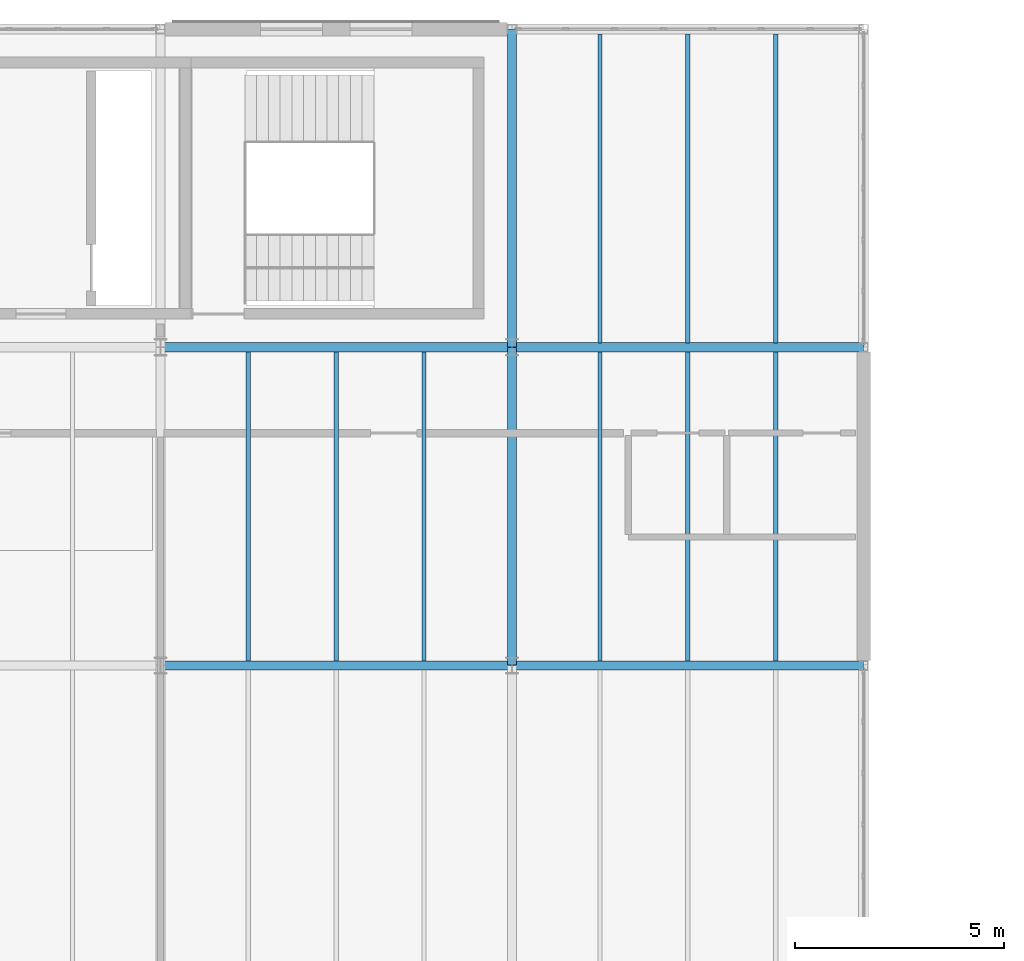
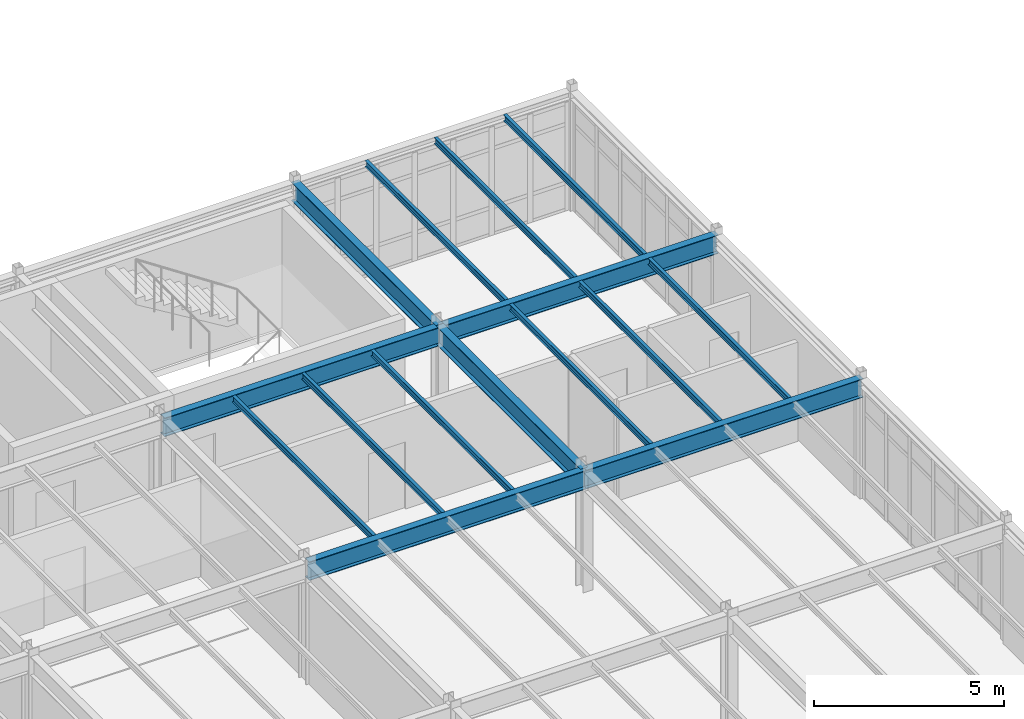
# One storey, part 49 of 114: 15 beams.
"""IFC4 building model written with IfcOpenShell, lengths in metres."""

from ifc_helpers import new_model, si_unit, direction, frame, origin, origin_2d, place, context, subcontext, project, spatial, i_section, extrude, material, material_profile, profile_set, type_object, element, save


model = new_model("IFC4")

# Units and contexts
model_context = context("Model", 3, precision=1e-05, world=origin(), true_north=direction((0.0, 1.0)))
body_context = subcontext(model_context, "Body", "Model", "MODEL_VIEW")
ifc_project = project(units=[si_unit("LENGTHUNIT", "METRE"), si_unit("AREAUNIT", "SQUARE_METRE"), si_unit("VOLUMEUNIT", "CUBIC_METRE"), si_unit("PLANEANGLEUNIT", "RADIAN"), si_unit("MASSUNIT", "GRAM", prefix="KILO")], contexts=[model_context])

# Site, building, storey
site_placement = place(None, origin())
site = spatial("IfcSite", under=ifc_project, at=site_placement, CompositionType="ELEMENT")
building_placement = place(site_placement, origin())
building = spatial("IfcBuilding", under=site, at=building_placement, Name="Montecoro Central Library", CompositionType="ELEMENT")
storey_placement = place(building_placement, frame((0.0, 0.0, 13.260009765625)))
storey = spatial("IfcBuildingStorey", under=building, at=storey_placement, Name="L03", CompositionType="ELEMENT", Elevation=13.260009765625)

# Beams
ifc_material_1 = material(Name="Steel S355J2", Category="steel")
ifc_material_profile_1 = material_profile(ifc_material_1, i_section(OverallWidth=0.219970703125, OverallDepth=0.60009765625, WebThickness=0.011962890625, FlangeThickness=0.01904296875, at=origin_2d()), Name="IPE 600")
ifc_profile_set_1 = profile_set([ifc_material_profile_1], Name="Steel S355J2")
beam_type_1 = type_object("IfcBeamType", Name="BM-G-IPE600", PredefinedType="USERDEFINED", material=ifc_profile_set_1)
beam_1_placement = place(storey_placement, frame((100.0048828125, 103.800048828125, 3.52490234375), z_axis=(1.0, 0.0, 0.0), x_axis=(0.0, 1.0, 0.0)))
element("IfcBeam", 1, at=beam_1_placement, inside=storey, type_object=beam_type_1, Name="V2-L03-BX-1314-P", ObjectType="GIRDER", PredefinedType="USERDEFINED", context=body_context, shape_type="SweptSolid", body=[
    extrude(i_section(OverallWidth=0.219970703125, OverallDepth=0.60009765625, WebThickness=0.011962890625, FlangeThickness=0.01904296875, at=origin_2d()), origin(), (0.0, 0.0, 1.0), 8.39013671875),
])
beam_2_placement = place(storey_placement, frame((108.405029296875, 103.800048828125, 3.52490234375), z_axis=(1.0, 0.0, 0.0), x_axis=(0.0, 1.0, 0.0)))
element("IfcBeam", 2, at=beam_2_placement, inside=storey, type_object=beam_type_1, Name="V2-L03-BX-1415-P", ObjectType="GIRDER", PredefinedType="USERDEFINED", context=body_context, shape_type="SweptSolid", body=[
    extrude(i_section(OverallWidth=0.219970703125, OverallDepth=0.60009765625, WebThickness=0.011962890625, FlangeThickness=0.01904296875, at=origin_2d()), origin(), (0.0, 0.0, 1.0), 8.389892578125),
])
beam_3_placement = place(storey_placement, frame((100.0048828125, 111.39990234375, 3.52490234375), z_axis=(1.0, 0.0, 0.0), x_axis=(0.0, 1.0, 0.0)))
element("IfcBeam", 3, at=beam_3_placement, inside=storey, type_object=beam_type_1, Name="V2-L03-BX-1314-Q", ObjectType="GIRDER", PredefinedType="USERDEFINED", context=body_context, shape_type="SweptSolid", body=[
    extrude(i_section(OverallWidth=0.219970703125, OverallDepth=0.60009765625, WebThickness=0.011962890625, FlangeThickness=0.01904296875, at=origin_2d()), origin(), (0.0, 0.0, 1.0), 8.39013671875),
])
beam_4_placement = place(storey_placement, frame((108.405029296875, 111.39990234375, 3.52490234375), z_axis=(1.0, 0.0, 0.0), x_axis=(0.0, 1.0, 0.0)))
element("IfcBeam", 4, at=beam_4_placement, inside=storey, type_object=beam_type_1, Name="V2-L03-BX-1415-Q", ObjectType="GIRDER", PredefinedType="USERDEFINED", context=body_context, shape_type="SweptSolid", body=[
    extrude(i_section(OverallWidth=0.219970703125, OverallDepth=0.60009765625, WebThickness=0.011962890625, FlangeThickness=0.01904296875, at=origin_2d()), origin(), (0.0, 0.0, 1.0), 8.389892578125),
])
for number, where, z_axis, x_axis, name in (
    (5, (108.39990234375, 103.804931640625, 3.52490234375), (0.0, 1.0, 0.0), (-1.0, 0.0, 0.0), "V2-L03-BY-14-PQ"),
    (6, (108.39990234375, 111.405029296875, 3.52490234375), (0.0, 1.0, 0.0), (-1.0, 0.0, 0.0), "V2-L03-BY-14-QR"),
):
    element("IfcBeam", number, at=place(storey_placement, frame(where, z_axis=z_axis, x_axis=x_axis)), inside=storey, type_object=beam_type_1, Name=name, ObjectType="GIRDER", PredefinedType="USERDEFINED", context=body_context, shape_type="SweptSolid", body=[
        extrude(i_section(OverallWidth=0.219970703125, OverallDepth=0.60009765625, WebThickness=0.011962890625, FlangeThickness=0.01904296875, at=origin_2d()), origin(), (0.0, 0.0, 1.0), 7.590087890625),
    ])
ifc_material_2 = material(Name="Steel S355", Category="steel")
ifc_material_profile_2 = material_profile(ifc_material_2, i_section(OverallWidth=0.10009765625, OverallDepth=0.199951171875, WebThickness=0.005615234375, FlangeThickness=0.008544921875, at=origin_2d()), Name="IPE 200")
ifc_profile_set_2 = profile_set([ifc_material_profile_2], Name="Steel S355")
beam_type_2 = type_object("IfcBeamType", Name="BM-J-IPE200", PredefinedType="JOIST", material=ifc_profile_set_2)
for number, where, z_axis, x_axis, name in (
    (7, (102.10009765625, 103.906982421875, 3.72509765625), (0.0, 1.0, 0.0), (-1.0, 0.0, 0.0), "V2-L03-JS-1314-PQ-1"),
    (8, (104.199951171875, 103.906982421875, 3.72509765625), (0.0, 1.0, 0.0), (-1.0, 0.0, 0.0), "V2-L03-JS-1314-PQ-2"),
    (9, (106.300048828125, 103.906982421875, 3.72509765625), (0.0, 1.0, 0.0), (-1.0, 0.0, 0.0), "V2-L03-JS-1314-PQ-3"),
    (10, (110.5, 103.906982421875, 3.72509765625), (0.0, 1.0, 0.0), (-1.0, 0.0, 0.0), "V2-L03-JS-1415-PQ-1"),
    (11, (112.60009765625, 103.906982421875, 3.72509765625), (0.0, 1.0, 0.0), (-1.0, 0.0, 0.0), "V2-L03-JS-1415-PQ-2"),
    (12, (114.699951171875, 103.906982421875, 3.72509765625), (0.0, 1.0, 0.0), (-1.0, 0.0, 0.0), "V2-L03-JS-1415-PQ-3"),
):
    element("IfcBeam", number, at=place(storey_placement, frame(where, z_axis=z_axis, x_axis=x_axis)), inside=storey, type_object=beam_type_2, Name=name, PredefinedType="JOIST", context=body_context, shape_type="SweptSolid", body=[
        extrude(i_section(OverallWidth=0.10009765625, OverallDepth=0.199951171875, WebThickness=0.005615234375, FlangeThickness=0.008544921875, at=origin_2d()), origin(), (0.0, 0.0, 1.0), 7.385986328125),
    ])
for number, where, z_axis, x_axis, name in (
    (13, (110.5, 111.507080078125, 3.72509765625), (0.0, 1.0, 0.0), (-1.0, 0.0, 0.0), "V2-L03-JS-1415-QR-1"),
    (14, (112.60009765625, 111.507080078125, 3.72509765625), (0.0, 1.0, 0.0), (-1.0, 0.0, 0.0), "V2-L03-JS-1415-QR-2"),
    (15, (114.699951171875, 111.507080078125, 3.72509765625), (0.0, 1.0, 0.0), (-1.0, 0.0, 0.0), "V2-L03-JS-1415-QR-3"),
):
    element("IfcBeam", number, at=place(storey_placement, frame(where, z_axis=z_axis, x_axis=x_axis)), inside=storey, type_object=beam_type_2, Name=name, PredefinedType="JOIST", context=body_context, shape_type="SweptSolid", body=[
        extrude(i_section(OverallWidth=0.10009765625, OverallDepth=0.199951171875, WebThickness=0.005615234375, FlangeThickness=0.008544921875, at=origin_2d()), origin(), (0.0, 0.0, 1.0), 7.3759765625),
    ])

save(model, "model.ifc")
